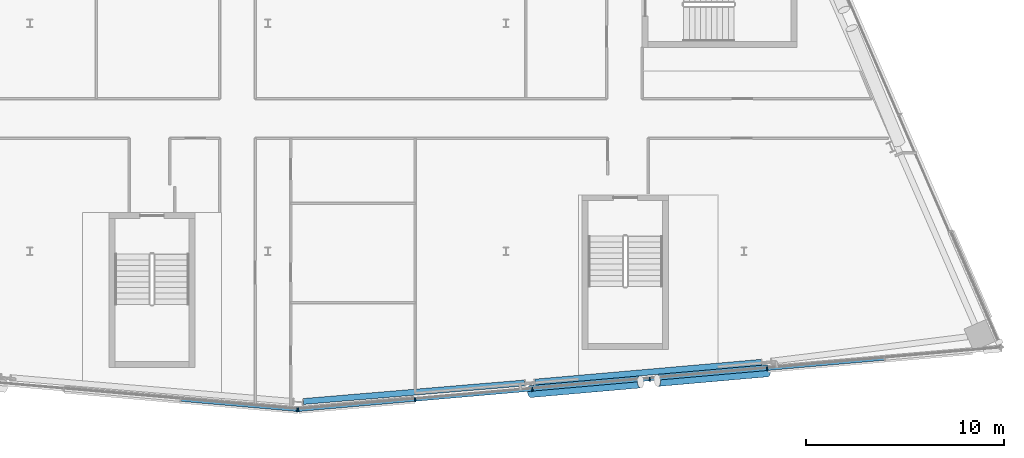
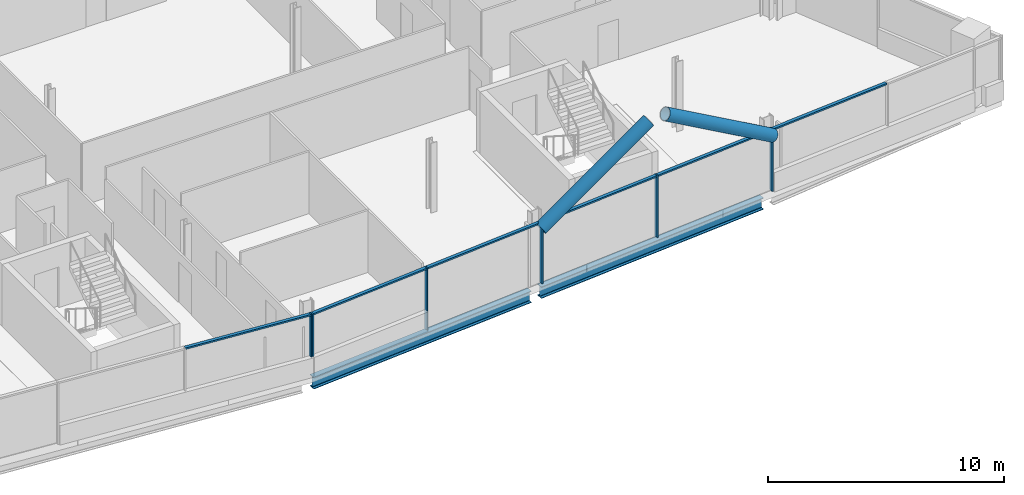
# One storey, part 8 of 26: 14 members, 2 beams, 2 elements without a shape of their own.
"""IFC4 building model written with IfcOpenShell, lengths in metres."""

from ifc_helpers import new_model, si_unit, direction, frame, origin, origin_2d, place, context, subcontext, project, spatial, rectangle, hollow_circle, i_section, extrude, material, material_profile, profile_set, type_object, element, aggregate, save


model = new_model("IFC4")

# Units and contexts
model_context = context("Model", 3, precision=1e-05, world=origin(), true_north=direction((0.0, 1.0)))
body_context = subcontext(model_context, "Body", "Model", "MODEL_VIEW")
ifc_project = project(units=[si_unit("LENGTHUNIT", "METRE"), si_unit("AREAUNIT", "SQUARE_METRE"), si_unit("VOLUMEUNIT", "CUBIC_METRE"), si_unit("PLANEANGLEUNIT", "RADIAN"), si_unit("MASSUNIT", "GRAM", prefix="KILO")], contexts=[model_context])

# Site, building, storey
site_placement = place(None, origin())
site = spatial("IfcSite", under=ifc_project, at=site_placement, CompositionType="ELEMENT")
building_placement = place(site_placement, origin())
building = spatial("IfcBuilding", under=site, at=building_placement, Name="Wharfspan Tower", CompositionType="ELEMENT")
storey_placement = place(building_placement, frame((0.0, 0.0, 217.899902)))
storey = spatial("IfcBuildingStorey", under=building, at=storey_placement, Name="L54", CompositionType="ELEMENT", Elevation=217.899902)

# Beams
ifc_material_1 = material(Name="Steel S355J2", Category="steel")
ifc_material_profile_1 = material_profile(ifc_material_1, i_section(OverallWidth=0.300049, OverallDepth=0.600098, WebThickness=0.015381, FlangeThickness=0.030029, FilletRadius=0.0271, at=origin_2d()))
ifc_profile_set_1 = profile_set([ifc_material_profile_1], Name="Steel S355J2")
beam_type = type_object("IfcBeamType", Name="Edge beam HEB 600", PredefinedType="SPANDREL", material=ifc_profile_set_1)
beam_1_placement = place(storey_placement, frame((49.783691, 3.923828, -0.699951), z_axis=(0.996517, 0.083395, 0.0), x_axis=(-0.083395, 0.996517, 0.0)))
element("IfcBeam", 1, at=beam_1_placement, inside=storey, type_object=beam_type, Name="Edge beam S2 L54 PS1.3 to PS2.1", PredefinedType="SPANDREL", context=body_context, shape_type="SweptSolid", body=[
    extrude(i_section(OverallWidth=0.300049, OverallDepth=0.600098, WebThickness=0.015381, FlangeThickness=0.030029, FilletRadius=0.0271, at=origin_2d()), origin(), (0.0, 0.0, 1.0), 11.200684),
])
beam_2_placement = place(storey_placement, frame((61.459473, 4.901855, -0.699951), z_axis=(0.996195, 0.087157, 0.0), x_axis=(-0.087157, 0.996195, 0.0)))
element("IfcBeam", 2, at=beam_2_placement, inside=storey, type_object=beam_type, Name="Edge beam S2 L54 PS2.1 to PS2.2", PredefinedType="SPANDREL", context=body_context, shape_type="SweptSolid", body=[
    extrude(i_section(OverallWidth=0.300049, OverallDepth=0.600098, WebThickness=0.015381, FlangeThickness=0.030029, FilletRadius=0.0271, at=origin_2d()), origin(), (0.0, 0.0, 1.0), 11.462402),
])

# Curtain wall, member
ifc_material_2 = material(Name="Aluminium 6063-T6", Category="aluminium")
curtain_wall_type = type_object("IfcCurtainWallType", Name="CURTAIN WALL FACETED FRONT", PredefinedType="NOTDEFINED", material=ifc_material_2)
curtain_wall_1_placement = place(storey_placement, origin())
curtain_wall_1 = element("IfcCurtainWall", 3, at=curtain_wall_1_placement, inside=storey, type_object=curtain_wall_type, Name="Curtain wall S1", PredefinedType="NOTDEFINED")
ifc_material_profile_2 = material_profile(ifc_material_2, rectangle(XDim=0.199951, YDim=0.060059, at=origin_2d()))
ifc_profile_set_2 = profile_set([ifc_material_profile_2], Name="Aluminium 6063-T6")
member_type_1 = type_object("IfcMemberType", Name="MULLION FACETED FRONT 60x200", PredefinedType="MULLION", material=ifc_profile_set_2)
member_1_placement = place(storey_placement, frame((49.470215, 3.496826, 1.0), z_axis=(0.0, 0.0, 1.0), x_axis=(0.087156, 0.996197, 0.0)))
member_1 = element("IfcMember", 4, at=member_1_placement, type_object=member_type_1, Name="Curtain wall S1 mullion 6", PredefinedType="MULLION", context=body_context, shape_type="SweptSolid", body=[
    extrude(rectangle(XDim=0.199951, YDim=0.060059, at=origin_2d()), origin(), (0.0, 0.0, 1.0), 2.200195),
])

# Curtain wall, members
curtain_wall_2_placement = place(storey_placement, origin())
curtain_wall_2 = element("IfcCurtainWall", 5, at=curtain_wall_2_placement, inside=storey, type_object=curtain_wall_type, Name="Curtain wall S2", PredefinedType="NOTDEFINED")
member_2_placement = place(storey_placement, frame((49.529785, 3.496826, 1.0), z_axis=(0.0, 0.0, 1.0), x_axis=(-0.087156, 0.996197, 0.0)))
member_2 = element("IfcMember", 6, at=member_2_placement, type_object=member_type_1, Name="Curtain wall S2 mullion 1", PredefinedType="MULLION", context=body_context, shape_type="SweptSolid", body=[
    extrude(rectangle(XDim=0.199951, YDim=0.060059, at=origin_2d()), origin(), (0.0, 0.0, 1.0), 2.200195),
])
member_3_placement = place(storey_placement, frame((55.416748, 4.011719, 0.0), z_axis=(0.0, 0.0, 1.0), x_axis=(-0.087156, 0.996197, 0.0)))
member_3 = element("IfcMember", 7, at=member_3_placement, type_object=member_type_1, Name="Curtain wall S2 mullion 2", PredefinedType="MULLION", context=body_context, shape_type="SweptSolid", body=[
    extrude(rectangle(XDim=0.199951, YDim=0.060059, at=origin_2d()), origin(), (0.0, 0.0, 1.0), 3.200195),
])
member_4_placement = place(storey_placement, frame((61.333252, 4.529541, 0.0), z_axis=(0.0, 0.0, 1.0), x_axis=(-0.087156, 0.996197, 0.0)))
member_4 = element("IfcMember", 8, at=member_4_placement, type_object=member_type_1, Name="Curtain wall S2 mullion 3", PredefinedType="MULLION", context=body_context, shape_type="SweptSolid", body=[
    extrude(rectangle(XDim=0.199951, YDim=0.060059, at=origin_2d()), origin(), (0.0, 0.0, 1.0), 3.200195),
])
member_5_placement = place(storey_placement, frame((67.25, 5.047119, 0.0), z_axis=(0.0, 0.0, 1.0), x_axis=(-0.087156, 0.996197, 0.0)))
member_5 = element("IfcMember", 9, at=member_5_placement, type_object=member_type_1, Name="Curtain wall S2 mullion 4", PredefinedType="MULLION", context=body_context, shape_type="SweptSolid", body=[
    extrude(rectangle(XDim=0.199951, YDim=0.060059, at=origin_2d()), origin(), (0.0, 0.0, 1.0), 3.200195),
])
member_6_placement = place(storey_placement, frame((73.166748, 5.564697, 0.0), z_axis=(0.0, 0.0, 1.0), x_axis=(-0.087156, 0.996197, 0.0)))
member_6 = element("IfcMember", 10, at=member_6_placement, type_object=member_type_1, Name="Curtain wall S2 mullion 5", PredefinedType="MULLION", context=body_context, shape_type="SweptSolid", body=[
    extrude(rectangle(XDim=0.199951, YDim=0.060059, at=origin_2d()), origin(), (0.0, 0.0, 1.0), 3.200195),
])

# Members
ifc_material_3 = material(Name="Steel S460NH", Category="steel")
ifc_material_profile_3 = material_profile(ifc_material_3, hollow_circle(Radius=0.304932, WallThickness=0.024902, at=origin_2d()))
ifc_profile_set_3 = profile_set([ifc_material_profile_3], Name="Steel S460NH")
member_type_2 = type_object("IfcMemberType", Name="Mega brace CHS 610x25", PredefinedType="BRACE", material=ifc_profile_set_3)
for number, where, z_axis, x_axis, name in (
    (11, (61.241943, 4.426025, 2.900146), (0.853829, 0.074698, 0.515166), (-0.087155, 0.996197, 3e-06), "Mega brace S2 L55 part 1"),
    (12, (73.175049, 5.469971, 2.900146), (-0.853829, -0.074698, 0.515166), (0.087155, -0.996197, 3e-06), "Mega brace S2 L55 part 3"),
):
    element("IfcMember", number, at=place(storey_placement, frame(where, z_axis=z_axis, x_axis=x_axis)), inside=storey, type_object=member_type_2, Name=name, PredefinedType="BRACE", context=body_context, shape_type="SweptSolid", body=[
        extrude(hollow_circle(Radius=0.304932, WallThickness=0.024902, at=origin_2d()), origin(), (0.0, 0.0, 1.0), 6.484375),
    ])

# Member
ifc_material_profile_4 = material_profile(ifc_material_2, rectangle(XDim=0.159912, YDim=0.080078, at=origin_2d()))
ifc_profile_set_4 = profile_set([ifc_material_profile_4], Name="Aluminium 6063-T6")
member_type_3 = type_object("IfcMemberType", Name="TRANSOM FACETED FRONT 80x160", PredefinedType="USERDEFINED", material=ifc_profile_set_4)
member_7_placement = place(storey_placement, frame((43.629883, 4.007812, 3.160156), z_axis=(0.996192, -0.087191, 0.0), x_axis=(0.087191, 0.996192, 0.0)))
member_7 = element("IfcMember", 13, at=member_7_placement, type_object=member_type_3, Name="Curtain wall S1 transom 5", ObjectType="TRANSOM", PredefinedType="USERDEFINED", context=body_context, shape_type="SweptSolid", body=[
    extrude(rectangle(XDim=0.159912, YDim=0.080078, at=origin_2d()), origin(), (0.0, 0.0, 1.0), 5.83252),
])

aggregate(curtain_wall_1, [member_1, member_7])

member_8_placement = place(storey_placement, frame((49.559814, 3.499268, 3.160156), z_axis=(0.996191, 0.087193, 0.0), x_axis=(-0.087193, 0.996191, 0.0)))
member_8 = element("IfcMember", 14, at=member_8_placement, type_object=member_type_3, Name="Curtain wall S2 transom 1", ObjectType="TRANSOM", PredefinedType="USERDEFINED", context=body_context, shape_type="SweptSolid", body=[
    extrude(rectangle(XDim=0.159912, YDim=0.080078, at=origin_2d()), origin(), (0.0, 0.0, 1.0), 5.849121),
])

member_9_placement = place(storey_placement, frame((55.446533, 4.014404, 3.160156), z_axis=(0.996194, 0.087162, 0.0), x_axis=(-0.087162, 0.996194, 0.0)))
member_9 = element("IfcMember", 15, at=member_9_placement, type_object=member_type_3, Name="Curtain wall S2 transom 2", ObjectType="TRANSOM", PredefinedType="USERDEFINED", context=body_context, shape_type="SweptSolid", body=[
    extrude(rectangle(XDim=0.159912, YDim=0.080078, at=origin_2d()), origin(), (0.0, 0.0, 1.0), 5.879395),
])

member_10_placement = place(storey_placement, frame((61.363281, 4.531982, 3.160156), z_axis=(0.996194, 0.087162, 0.0), x_axis=(-0.087162, 0.996194, 0.0)))
member_10 = element("IfcMember", 16, at=member_10_placement, type_object=member_type_3, Name="Curtain wall S2 transom 3", ObjectType="TRANSOM", PredefinedType="USERDEFINED", context=body_context, shape_type="SweptSolid", body=[
    extrude(rectangle(XDim=0.159912, YDim=0.080078, at=origin_2d()), origin(), (0.0, 0.0, 1.0), 5.879395),
])

member_11_placement = place(storey_placement, frame((67.279785, 5.049805, 3.160156), z_axis=(0.996198, 0.087121, 0.0), x_axis=(-0.087121, 0.996198, 0.0)))
member_11 = element("IfcMember", 17, at=member_11_placement, type_object=member_type_3, Name="Curtain wall S2 transom 4", ObjectType="TRANSOM", PredefinedType="USERDEFINED", context=body_context, shape_type="SweptSolid", body=[
    extrude(rectangle(XDim=0.159912, YDim=0.080078, at=origin_2d()), origin(), (0.0, 0.0, 1.0), 5.879395),
])

member_12_placement = place(storey_placement, frame((73.196533, 5.567383, 3.160156), z_axis=(0.996194, 0.087162, 0.0), x_axis=(-0.087162, 0.996194, 0.0)))
member_12 = element("IfcMember", 18, at=member_12_placement, type_object=member_type_3, Name="Curtain wall S2 transom 5", ObjectType="TRANSOM", PredefinedType="USERDEFINED", context=body_context, shape_type="SweptSolid", body=[
    extrude(rectangle(XDim=0.159912, YDim=0.080078, at=origin_2d()), origin(), (0.0, 0.0, 1.0), 5.879395),
])

aggregate(curtain_wall_2, [member_2, member_3, member_4, member_5, member_6, member_8, member_9, member_10, member_11, member_12])

save(model, "model.ifc")
